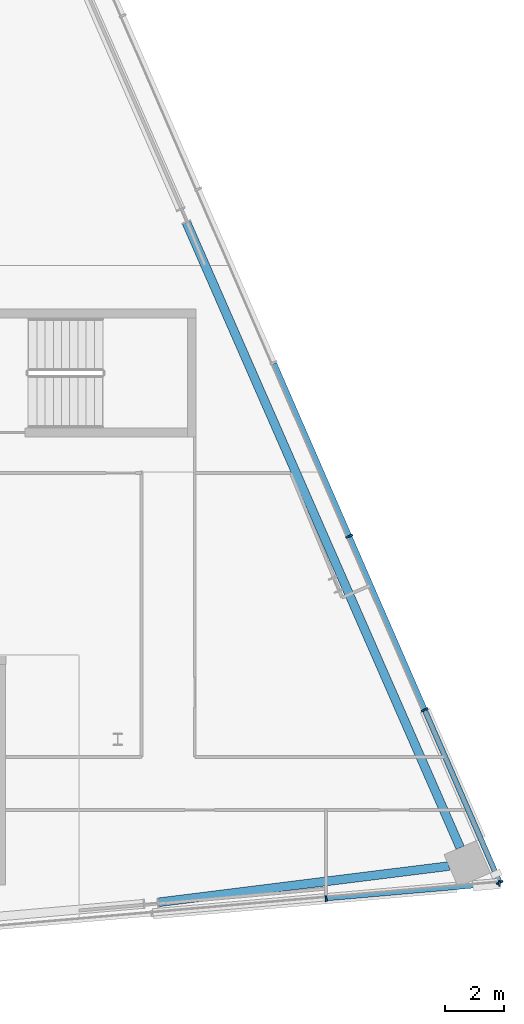
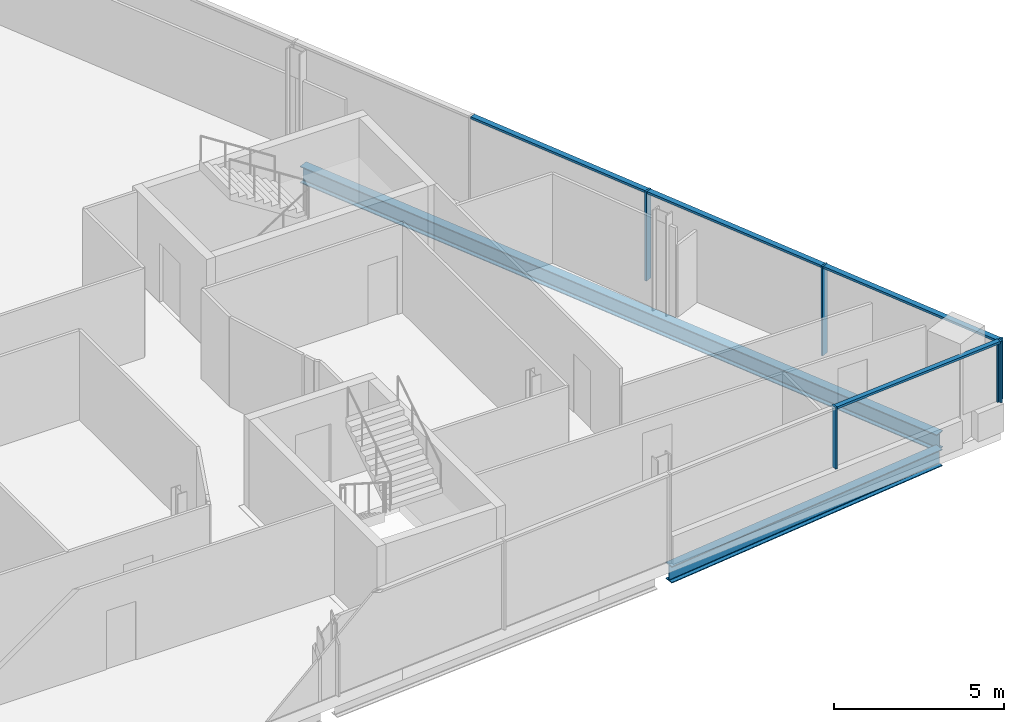
# One storey, part 11 of 22: 9 members, 2 beams, 2 elements without a shape of their own.
"""IFC4 building model written with IfcOpenShell, lengths in metres."""

from ifc_helpers import new_model, si_unit, direction, frame, origin, origin_2d, place, context, subcontext, project, spatial, rectangle, i_section, extrude, material, material_profile, profile_set, type_object, element, aggregate, save


model = new_model("IFC4")

# Units and contexts
model_context = context("Model", 3, precision=1e-05, world=origin(), true_north=direction((0.0, 1.0)))
body_context = subcontext(model_context, "Body", "Model", "MODEL_VIEW")
ifc_project = project(units=[si_unit("LENGTHUNIT", "METRE"), si_unit("AREAUNIT", "SQUARE_METRE"), si_unit("VOLUMEUNIT", "CUBIC_METRE"), si_unit("PLANEANGLEUNIT", "RADIAN"), si_unit("MASSUNIT", "GRAM", prefix="KILO")], contexts=[model_context])

# Site, building, storey
site_placement = place(None, origin())
site = spatial("IfcSite", under=ifc_project, at=site_placement, CompositionType="ELEMENT")
building_placement = place(site_placement, origin())
building = spatial("IfcBuilding", under=site, at=building_placement, Name="Wharfspan Tower", CompositionType="ELEMENT")
storey_placement = place(building_placement, frame((0.0, 0.0, 246.699951)))
storey = spatial("IfcBuildingStorey", under=building, at=storey_placement, Name="L62", CompositionType="ELEMENT", Elevation=246.699951)

# Beams
ifc_material_1 = material(Name="Steel S355J2", Category="steel")
ifc_material_profile_1 = material_profile(ifc_material_1, i_section(OverallWidth=0.300049, OverallDepth=0.600098, WebThickness=0.015381, FlangeThickness=0.030029, FilletRadius=0.0271, at=origin_2d()))
ifc_profile_set_1 = profile_set([ifc_material_profile_1], Name="Steel S355J2")
beam_type = type_object("IfcBeamType", Name="Edge beam HEB 600", PredefinedType="SPANDREL", material=ifc_profile_set_1)
beam_1_placement = place(storey_placement, frame((73.391602, 5.955322, -0.699951), z_axis=(0.992301, 0.123848, 0.0), x_axis=(-0.123848, 0.992301, 0.0)))
element("IfcBeam", 1, at=beam_1_placement, inside=storey, type_object=beam_type, Name="Edge beam S2 L62 PS2.2 to MC4", PredefinedType="SPANDREL", context=body_context, shape_type="SweptSolid", body=[
    extrude(i_section(OverallWidth=0.300049, OverallDepth=0.600098, WebThickness=0.015381, FlangeThickness=0.030029, FilletRadius=0.0271, at=origin_2d()), origin(), (0.0, 0.0, 1.0), 9.951172),
])
beam_2_placement = place(storey_placement, frame((83.643799, 7.810547, -0.699951), z_axis=(-0.401141, 0.916016, 0.0), x_axis=(-0.916016, -0.401141, 0.0)))
element("IfcBeam", 2, at=beam_2_placement, inside=storey, type_object=beam_type, Name="Edge beam E L62 MC4 to PE.2", PredefinedType="SPANDREL", context=body_context, shape_type="SweptSolid", body=[
    extrude(i_section(OverallWidth=0.300049, OverallDepth=0.600098, WebThickness=0.015381, FlangeThickness=0.030029, FilletRadius=0.0271, at=origin_2d()), origin(), (0.0, 0.0, 1.0), 23.196045),
])

# Curtain wall, members
ifc_material_2 = material(Name="Aluminium 6063-T6", Category="aluminium")
curtain_wall_type_1 = type_object("IfcCurtainWallType", Name="CURTAIN WALL FACETED FRONT", PredefinedType="NOTDEFINED", material=ifc_material_2)
curtain_wall_1_placement = place(storey_placement, origin())
curtain_wall_1 = element("IfcCurtainWall", 3, at=curtain_wall_1_placement, inside=storey, type_object=curtain_wall_type_1, Name="Curtain wall S2", PredefinedType="NOTDEFINED")
ifc_material_profile_2 = material_profile(ifc_material_2, rectangle(XDim=0.199951, YDim=0.060059, at=origin_2d()))
ifc_profile_set_2 = profile_set([ifc_material_profile_2], Name="Aluminium 6063-T6")
member_type_1 = type_object("IfcMemberType", Name="MULLION FACETED FRONT 60x200", PredefinedType="MULLION", material=ifc_profile_set_2)
member_1_placement = place(storey_placement, frame((79.083252, 6.082275, 1.0), z_axis=(0.0, 0.0, 1.0), x_axis=(-0.087156, 0.996197, 0.0)))
member_1 = element("IfcMember", 4, at=member_1_placement, type_object=member_type_1, Name="Curtain wall S2 mullion 6", PredefinedType="MULLION", context=body_context, shape_type="SweptSolid", body=[
    extrude(rectangle(XDim=0.199951, YDim=0.060059, at=origin_2d()), origin(), (0.0, 0.0, 1.0), 2.199951),
])
member_2_placement = place(storey_placement, frame((84.970215, 6.597412, 1.0), z_axis=(0.0, 0.0, 1.0), x_axis=(-0.087156, 0.996197, 0.0)))
member_2 = element("IfcMember", 5, at=member_2_placement, type_object=member_type_1, Name="Curtain wall S2 mullion 7", PredefinedType="MULLION", context=body_context, shape_type="SweptSolid", body=[
    extrude(rectangle(XDim=0.199951, YDim=0.060059, at=origin_2d()), origin(), (0.0, 0.0, 1.0), 2.199951),
])

curtain_wall_type_2 = type_object("IfcCurtainWallType", Name="CURTAIN WALL PROW AND END", PredefinedType="NOTDEFINED", material=ifc_material_2)
curtain_wall_2_placement = place(storey_placement, origin())
curtain_wall_2 = element("IfcCurtainWall", 6, at=curtain_wall_2_placement, inside=storey, type_object=curtain_wall_type_2, Name="Curtain wall E", PredefinedType="NOTDEFINED")
ifc_material_profile_3 = material_profile(ifc_material_2, rectangle(XDim=0.23999, YDim=0.060059, at=origin_2d()))
ifc_profile_set_3 = profile_set([ifc_material_profile_3], Name="Aluminium 6063-T6")
member_type_2 = type_object("IfcMemberType", Name="MULLION PROW AND END 60x240", PredefinedType="MULLION", material=ifc_profile_set_3)
member_3_placement = place(storey_placement, frame((84.988037, 6.627441, 1.0), z_axis=(0.0, 0.0, 1.0), x_axis=(-0.917072, -0.398727, 0.0)))
member_3 = element("IfcMember", 7, at=member_3_placement, type_object=member_type_2, Name="Curtain wall E mullion 1", PredefinedType="MULLION", context=body_context, shape_type="SweptSolid", body=[
    extrude(rectangle(XDim=0.23999, YDim=0.060059, at=origin_2d()), origin(), (0.0, 0.0, 1.0), 2.199951),
])
member_4_placement = place(storey_placement, frame((82.434814, 12.5, 0.0), z_axis=(0.0, 0.0, 1.0), x_axis=(-0.917072, -0.398727, 0.0)))
member_4 = element("IfcMember", 8, at=member_4_placement, type_object=member_type_2, Name="Curtain wall E mullion 2", PredefinedType="MULLION", context=body_context, shape_type="SweptSolid", body=[
    extrude(rectangle(XDim=0.23999, YDim=0.060059, at=origin_2d()), origin(), (0.0, 0.0, 1.0), 3.199951),
])
member_5_placement = place(storey_placement, frame((79.869629, 18.399902, 0.0), z_axis=(0.0, 0.0, 1.0), x_axis=(-0.917072, -0.398727, 0.0)))
member_5 = element("IfcMember", 9, at=member_5_placement, type_object=member_type_2, Name="Curtain wall E mullion 3", PredefinedType="MULLION", context=body_context, shape_type="SweptSolid", body=[
    extrude(rectangle(XDim=0.23999, YDim=0.060059, at=origin_2d()), origin(), (0.0, 0.0, 1.0), 3.199951),
])

# Member
ifc_material_profile_4 = material_profile(ifc_material_2, rectangle(XDim=0.159912, YDim=0.080078, at=origin_2d()))
ifc_profile_set_4 = profile_set([ifc_material_profile_4], Name="Aluminium 6063-T6")
member_type_3 = type_object("IfcMemberType", Name="TRANSOM FACETED FRONT 80x160", PredefinedType="USERDEFINED", material=ifc_profile_set_4)
member_6_placement = place(storey_placement, frame((79.113281, 6.084961, 3.160156), z_axis=(0.996195, 0.087152, 0.0), x_axis=(-0.087152, 0.996195, 0.0)))
member_6 = element("IfcMember", 10, at=member_6_placement, type_object=member_type_3, Name="Curtain wall S2 transom 6", ObjectType="TRANSOM", PredefinedType="USERDEFINED", context=body_context, shape_type="SweptSolid", body=[
    extrude(rectangle(XDim=0.159912, YDim=0.080078, at=origin_2d()), origin(), (0.0, 0.0, 1.0), 5.849121),
])

aggregate(curtain_wall_1, [member_1, member_2, member_6])

ifc_material_profile_5 = material_profile(ifc_material_2, rectangle(XDim=0.179932, YDim=0.080078, at=origin_2d()))
ifc_profile_set_5 = profile_set([ifc_material_profile_5], Name="Aluminium 6063-T6")
member_type_4 = type_object("IfcMemberType", Name="TRANSOM PROW AND END 80x180", PredefinedType="USERDEFINED", material=ifc_profile_set_5)
member_7_placement = place(storey_placement, frame((84.976074, 6.655029, 3.160156), z_axis=(-0.398726, 0.91707, 0.0), x_axis=(-0.91707, -0.398726, 0.0)))
member_7 = element("IfcMember", 11, at=member_7_placement, type_object=member_type_4, Name="Curtain wall E transom 1", ObjectType="TRANSOM", PredefinedType="USERDEFINED", context=body_context, shape_type="SweptSolid", body=[
    extrude(rectangle(XDim=0.179932, YDim=0.080078, at=origin_2d()), origin(), (0.0, 0.0, 1.0), 6.343506),
])

member_8_placement = place(storey_placement, frame((82.422852, 12.527588, 3.160156), z_axis=(-0.398722, 0.917072, 0.0), x_axis=(-0.917072, -0.398722, 0.0)))
member_8 = element("IfcMember", 12, at=member_8_placement, type_object=member_type_4, Name="Curtain wall E transom 2", ObjectType="TRANSOM", PredefinedType="USERDEFINED", context=body_context, shape_type="SweptSolid", body=[
    extrude(rectangle(XDim=0.179932, YDim=0.080078, at=origin_2d()), origin(), (0.0, 0.0, 1.0), 6.373535),
])

member_9_placement = place(storey_placement, frame((79.857666, 18.42749, 3.160156), z_axis=(-0.398722, 0.917072, 0.0), x_axis=(-0.917072, -0.398722, 0.0)))
member_9 = element("IfcMember", 13, at=member_9_placement, type_object=member_type_4, Name="Curtain wall E transom 3", ObjectType="TRANSOM", PredefinedType="USERDEFINED", context=body_context, shape_type="SweptSolid", body=[
    extrude(rectangle(XDim=0.179932, YDim=0.080078, at=origin_2d()), origin(), (0.0, 0.0, 1.0), 6.373535),
])

aggregate(curtain_wall_2, [member_3, member_4, member_5, member_7, member_8, member_9])

save(model, "model.ifc")
